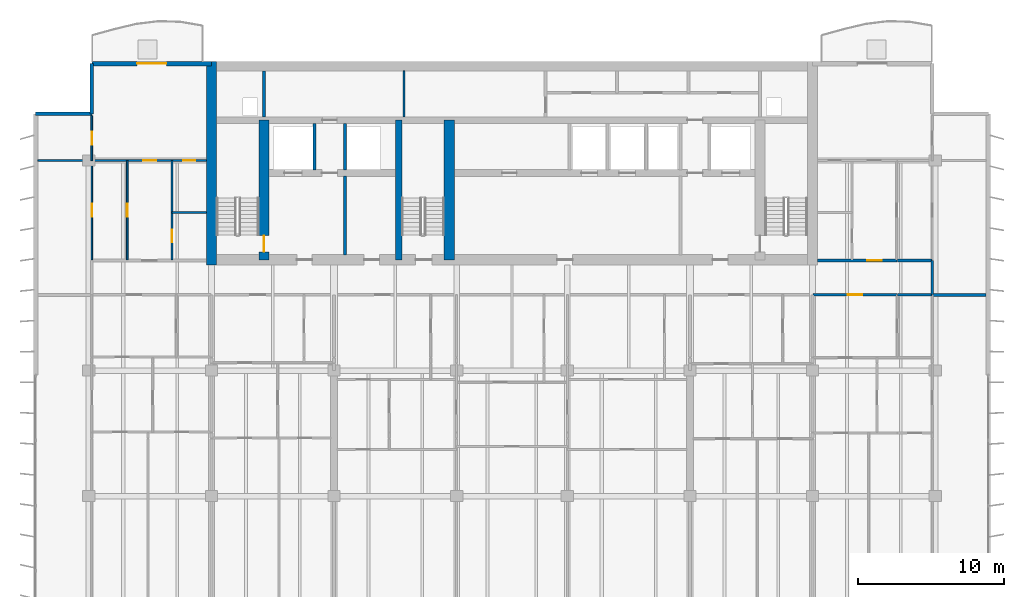
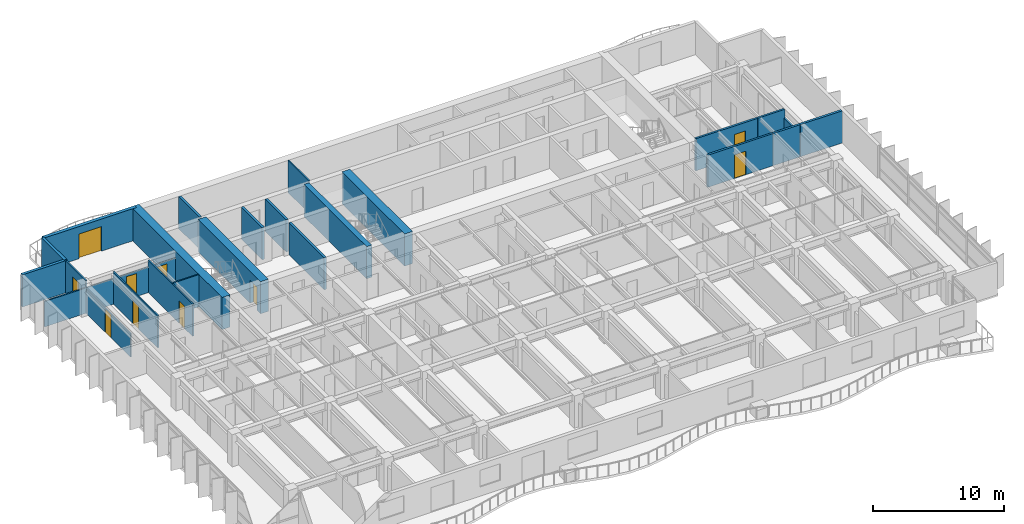
# One storey, part 12 of 18: 24 walls, 10 doors, 10 openings.
"""IFC4 building model written with IfcOpenShell, lengths in metres."""

from ifc_helpers import new_model, si_unit, direction, frame, frame_2d, origin, place, context, subcontext, project, spatial, rectangle, extrude, material, layer, layer_set, type_object, element, fill, save


model = new_model("IFC4")

# Units and contexts
model_context = context("Model", 3, precision=1e-05, world=origin(), true_north=direction((0.0, 1.0)))
body_context = subcontext(model_context, "Body", "Model", "MODEL_VIEW")
ifc_project = project(units=[si_unit("LENGTHUNIT", "METRE"), si_unit("AREAUNIT", "SQUARE_METRE"), si_unit("VOLUMEUNIT", "CUBIC_METRE"), si_unit("PLANEANGLEUNIT", "RADIAN"), si_unit("MASSUNIT", "GRAM", prefix="KILO")], contexts=[model_context])

# Site, building, storey
site_placement = place(None, origin())
site = spatial("IfcSite", under=ifc_project, at=site_placement, CompositionType="ELEMENT")
building_placement = place(site_placement, origin())
building = spatial("IfcBuilding", under=site, at=building_placement, Name="Caelmar Bay Residences", CompositionType="ELEMENT")
storey_placement = place(building_placement, frame((0.0, 0.0, 180.300048828125)))
storey = spatial("IfcBuildingStorey", under=building, at=storey_placement, Name="L50", CompositionType="ELEMENT", Elevation=180.300048828125)

# Wall
ifc_material_1 = material(Name="Concrete f'c 55 MPa (8,000 psi)", Category="concrete")
ifc_layer_1 = layer(ifc_material_1, 0.699951171875)
ifc_layer_set_1 = layer_set([ifc_layer_1], Name="Concrete f'c 55 MPa (8,000 psi)")
wall_type_1 = type_object("IfcWallType", Name="SW-COR-700", PredefinedType="SHEAR", material=ifc_layer_set_1)
wall_1_placement = place(storey_placement, frame((18.300048828125, 36.64990234375, 0.0), z_axis=(0.0, 0.0, 1.0), x_axis=(0.0, 1.0, 0.0)))
element("IfcWall", 1, at=wall_1_placement, inside=storey, type_object=wall_type_1, Name="L50 Rear Core West Shear Wall", PredefinedType="SHEAR", context=body_context, shape_type="SweptSolid", body=[
    extrude(rectangle(XDim=13.9501953125, YDim=0.699951171875, at=frame_2d((6.97509765625, 0.0))), origin(), (0.0, 0.0, 1.0), 3.0),
])

# Wall, opening, door
wall_2_placement = place(storey_placement, frame((21.89990234375, 37.0, 0.0), z_axis=(0.0, 0.0, 1.0), x_axis=(0.0, 1.0, 0.0)))
wall_2 = element("IfcWall", 2, at=wall_2_placement, inside=storey, type_object=wall_type_1, Name="L50 Core Structural Web Wall ST1E", PredefinedType="SHEAR", context=body_context, shape_type="SweptSolid", body=[
    extrude(rectangle(XDim=9.574951171875, YDim=0.699951171875, at=frame_2d((4.78759765625, 0.0))), origin(), (0.0, 0.0, 1.0), 3.0),
])
opening_1_placement = place(wall_2_placement, frame((0.550048828125, 0.0, 0.0)))
opening_1 = element("IfcOpeningElement", 3, at=opening_1_placement, cuts=wall_2, Name="Opening D-L50-107", PredefinedType="OPENING", context=body_context, shape_type="SweptSolid", body=[
    extrude(rectangle(XDim=1.10009765625, YDim=2.14990234375, at=frame_2d((0.550048828125, 1.074951171875))), frame((0.0, 0.35986328125, 0.0), z_axis=(0.0, -1.0, 0.0), x_axis=(1.0, 0.0, 0.0)), (0.0, 0.0, 1.0), 0.719970703125),
])
ifc_material_2 = material(Name="Fire-rated steel and walnut architectural door assembly", Category="steel")
ifc_layer_2 = layer(ifc_material_2, 0.050048828125)
ifc_layer_set_2 = layer_set([ifc_layer_2], Name="Fire-rated steel and walnut architectural door assembly")
door_type_1 = type_object("IfcDoorType", Name="D-STAIR-1100", OperationType="NOTDEFINED", PredefinedType="DOOR", material=ifc_layer_set_2)
door_1_placement = place(opening_1_placement, origin())
door_1 = element("IfcDoor", 4, at=door_1_placement, inside=storey, type_object=door_type_1, Name="L50 Firefighting Lobby West Door", OperationType="SINGLE_SWING_RIGHT", OverallHeight=2.14990234375, OverallWidth=1.10009765625, PredefinedType="DOOR", context=body_context, shape_type="SweptSolid", body=[
    extrude(rectangle(XDim=1.10009765625, YDim=2.14990234375, at=frame_2d((0.550048828125, 1.074951171875))), frame((0.0, 0.02490234375, 0.0), z_axis=(0.0, -1.0, 0.0), x_axis=(1.0, 0.0, 0.0)), (0.0, 0.0, 1.0), 0.050048828125),
])
fill(opening_1, door_1)

# Walls
wall_3_placement = place(storey_placement, frame((34.60009765625, 37.0, 0.0), z_axis=(0.0, 0.0, 1.0), x_axis=(0.0, 1.0, 0.0)))
element("IfcWall", 5, at=wall_3_placement, inside=storey, type_object=wall_type_1, Name="L50 Core Structural Web Wall ST3E", PredefinedType="SHEAR", context=body_context, shape_type="SweptSolid", body=[
    extrude(rectangle(XDim=9.574951171875, YDim=0.699951171875, at=frame_2d((4.78759765625, 0.0))), origin(), (0.0, 0.0, 1.0), 3.0),
])
ifc_material_3 = material(Name="Concrete f'c 70 MPa (10,000 psi)", Category="concrete")
ifc_layer_3 = layer(ifc_material_3, 0.449951171875)
ifc_layer_set_3 = layer_set([ifc_layer_3], Name="Concrete f'c 70 MPa (10,000 psi)")
wall_type_2 = type_object("IfcWallType", Name="SW-WEB-450", PredefinedType="SHEAR", material=ifc_layer_set_3)
wall_4_placement = place(storey_placement, frame((31.125, 37.0, 0.0), z_axis=(0.0, 0.0, 1.0), x_axis=(0.0, 1.0, 0.0)))
element("IfcWall", 6, at=wall_4_placement, inside=storey, type_object=wall_type_2, Name="L50 Core Structural Web Wall ST3W", PredefinedType="SHEAR", context=body_context, shape_type="SweptSolid", body=[
    extrude(rectangle(XDim=9.574951171875, YDim=0.449951171875, at=frame_2d((4.78759765625, 0.0))), origin(), (0.0, 0.0, 1.0), 3.0),
])
ifc_material_4 = material(Name="Double-stud acoustic fire-rated gypsum partition 180 mm")
ifc_layer_4 = layer(ifc_material_4, 0.179931640625)
ifc_layer_set_4 = layer_set([ifc_layer_4], Name="Double-stud acoustic fire-rated gypsum partition 180 mm")
wall_type_3 = type_object("IfcWallType", Name="W-COR-200", PredefinedType="PARTITIONING", material=ifc_layer_set_4)
wall_5_placement = place(storey_placement, frame((67.699951171875, 34.60498046875, 0.0), z_axis=(0.0, 0.0, 1.0), x_axis=(0.0, 1.0, 0.0)))
element("IfcWall", 7, at=wall_5_placement, inside=storey, type_object=wall_type_3, Name="L50 Partition Wall V103", PredefinedType="PARTITIONING", context=body_context, shape_type="SweptSolid", body=[
    extrude(rectangle(XDim=2.344970703125, YDim=0.179931640625, at=frame_2d((1.17236328125, 0.0))), origin(), (0.0, 0.0, 1.0), 2.212890625),
])

# Wall, opening, door
wall_6_placement = place(storey_placement, frame((59.550048828125, 34.60009765625, 0.0), z_axis=(0.0, 0.0, 1.0), x_axis=(1.0, 0.0, 0.0)))
wall_6 = element("IfcWall", 8, at=wall_6_placement, inside=storey, type_object=wall_type_3, Name="L50 Partition Wall H131", PredefinedType="PARTITIONING", context=body_context, shape_type="SweptSolid", body=[
    extrude(rectangle(XDim=5.72998046875, YDim=0.179931640625, at=frame_2d((2.864990234375, 0.0))), origin(), (0.0, 0.0, 1.0), 3.0),
])
opening_2_placement = place(wall_6_placement, frame((2.364990234375, 0.0, 0.0)))
opening_2 = element("IfcOpeningElement", 9, at=opening_2_placement, cuts=wall_6, Name="Opening D-L50-157", PredefinedType="OPENING", context=body_context, shape_type="SweptSolid", body=[
    extrude(rectangle(XDim=1.0, YDim=2.199951171875, at=frame_2d((0.5, 1.10009765625))), frame((0.0, 0.099853515625, 0.0), z_axis=(0.0, -1.0, 0.0), x_axis=(1.0, 0.0, 0.0)), (0.0, 0.0, 1.0), 0.199951171875),
])
ifc_layer_5 = layer(ifc_material_2, 0.050048828125)
ifc_layer_set_5 = layer_set([ifc_layer_5], Name="Fire-rated steel and walnut architectural door assembly")
door_type_2 = type_object("IfcDoorType", Name="D-UNIT-1000", OperationType="NOTDEFINED", PredefinedType="DOOR", material=ifc_layer_set_5)
door_2_placement = place(opening_2_placement, origin())
door_2 = element("IfcDoor", 10, at=door_2_placement, inside=storey, type_object=door_type_2, Name="L50 Residence 05 Apartment Hall Door", OperationType="SINGLE_SWING_RIGHT", OverallHeight=2.199951171875, OverallWidth=1.0, PredefinedType="DOOR", context=body_context, shape_type="SweptSolid", body=[
    extrude(rectangle(XDim=1.0, YDim=2.199951171875, at=frame_2d((0.5, 1.10009765625))), frame((0.0, 0.02490234375, 0.0), z_axis=(0.0, -1.0, 0.0), x_axis=(1.0, 0.0, 0.0)), (0.0, 0.0, 1.0), 0.050048828125),
])
fill(opening_2, door_2)

# Wall
wall_7_placement = place(storey_placement, frame((65.31591796875, 34.60009765625, 0.0), z_axis=(0.0, 0.0, 1.0), x_axis=(1.0, 0.0, 0.0)))
element("IfcWall", 11, at=wall_7_placement, inside=storey, type_object=wall_type_3, Name="L50 Partition Wall H132", PredefinedType="PARTITIONING", context=body_context, shape_type="SweptSolid", body=[
    extrude(rectangle(XDim=2.384033203125, YDim=0.179931640625, at=frame_2d((1.19189453125, 0.0))), origin(), (0.0, 0.0, 1.0), 3.0),
])

# Wall, opening, door
wall_8_placement = place(storey_placement, frame((59.85498046875, 36.949951171875, 0.0), z_axis=(0.0, 0.0, 1.0), x_axis=(1.0, 0.0, 0.0)))
wall_8 = element("IfcWall", 12, at=wall_8_placement, inside=storey, type_object=wall_type_3, Name="L50 Partition Wall H135", PredefinedType="PARTITIONING", context=body_context, shape_type="SweptSolid", body=[
    extrude(rectangle(XDim=5.425048828125, YDim=0.179931640625, at=frame_2d((2.71240234375, 0.0))), origin(), (0.0, 0.0, 1.0), 3.0),
])
opening_3_placement = place(wall_8_placement, frame((3.385009765625, 0.0, 0.0)))
opening_3 = element("IfcOpeningElement", 13, at=opening_3_placement, cuts=wall_8, Name="Opening D-L50-174", PredefinedType="OPENING", context=body_context, shape_type="SweptSolid", body=[
    extrude(rectangle(XDim=1.0, YDim=2.199951171875, at=frame_2d((0.5, 1.10009765625))), frame((0.0, 0.099853515625, 0.0), z_axis=(0.0, -1.0, 0.0), x_axis=(1.0, 0.0, 0.0)), (0.0, 0.0, 1.0), 0.199951171875),
])
door_3_placement = place(opening_3_placement, origin())
door_3 = element("IfcDoor", 14, at=door_3_placement, inside=storey, type_object=door_type_2, Name="L50 Residence EA Kitchen Door", OperationType="SINGLE_SWING_LEFT", OverallHeight=2.199951171875, OverallWidth=1.0, PredefinedType="DOOR", context=body_context, shape_type="SweptSolid", body=[
    extrude(rectangle(XDim=1.0, YDim=2.199951171875, at=frame_2d((0.5, 1.10009765625))), frame((0.0, 0.02490234375, 0.0), z_axis=(0.0, -1.0, 0.0), x_axis=(1.0, 0.0, 0.0)), (0.0, 0.0, 1.0), 0.050048828125),
])
fill(opening_3, door_3)

# Walls
wall_9_placement = place(storey_placement, frame((65.31591796875, 36.949951171875, 0.0), z_axis=(0.0, 0.0, 1.0), x_axis=(1.0, 0.0, 0.0)))
element("IfcWall", 15, at=wall_9_placement, inside=storey, type_object=wall_type_3, Name="L50 Partition Wall H136", PredefinedType="PARTITIONING", context=body_context, shape_type="SweptSolid", body=[
    extrude(rectangle(XDim=2.384033203125, YDim=0.179931640625, at=frame_2d((1.19189453125, 0.0))), origin(), (0.0, 0.0, 1.0), 3.0),
])
ifc_material_5 = material(Name="Precast concrete f'c 40 MPa (6,000 psi)", Category="concrete")
ifc_layer_6 = layer(ifc_material_5, 0.25)
ifc_layer_set_6 = layer_set([ifc_layer_6], Name="Precast concrete f'c 40 MPa (6,000 psi)")
wall_type_4 = type_object("IfcWallType", Name="W-EXT-250", PredefinedType="ELEMENTEDWALL", material=ifc_layer_set_6)
wall_10_placement = place(storey_placement, frame((6.25, 47.0, 0.0), z_axis=(0.0, 0.0, 1.0), x_axis=(1.0, 0.0, 0.0)))
element("IfcWall", 16, at=wall_10_placement, inside=storey, type_object=wall_type_4, Name="L50 NNW-H Notch Wall", PredefinedType="ELEMENTEDWALL", context=body_context, shape_type="SweptSolid", body=[
    extrude(rectangle(XDim=3.85009765625, YDim=0.25, at=frame_2d((1.925048828125, 0.0))), origin(), (0.0, 0.0, 1.0), 3.0),
])
wall_11_placement = place(storey_placement, frame((10.10009765625, 47.0, 0.0), z_axis=(0.0, 0.0, 1.0), x_axis=(0.0, 1.0, 0.0)))
element("IfcWall", 17, at=wall_11_placement, inside=storey, type_object=wall_type_4, Name="L50 NNW-V Notch Wall", PredefinedType="ELEMENTEDWALL", context=body_context, shape_type="SweptSolid", body=[
    extrude(rectangle(XDim=3.449951171875, YDim=0.25, at=frame_2d((1.72509765625, 0.0))), origin(), (0.0, 0.0, 1.0), 3.0),
])

# Wall, opening, door
ifc_layer_7 = layer(ifc_material_5, 0.300048828125)
ifc_layer_set_7 = layer_set([ifc_layer_7], Name="Precast concrete f'c 40 MPa (6,000 psi)")
wall_type_5 = type_object("IfcWallType", Name="W-EXT-300", PredefinedType="STANDARD", material=ifc_layer_set_7)
wall_12_placement = place(storey_placement, frame((10.10009765625, 50.449951171875, 0.0), z_axis=(0.0, 0.0, 1.0), x_axis=(1.0, 0.0, 0.0)))
wall_12 = element("IfcWall", 18, at=wall_12_placement, inside=storey, type_object=wall_type_5, Name="L50 North-West Wing Exterior Wall", PredefinedType="STANDARD", context=body_context, shape_type="SweptSolid", body=[
    extrude(rectangle(XDim=8.199951171875, YDim=0.300048828125, at=frame_2d((4.10009765625, 0.0))), origin(), (0.0, 0.0, 1.0), 3.0),
])
opening_4_placement = place(wall_12_placement, frame((3.10009765625, 0.0, 0.0)))
opening_4 = element("IfcOpeningElement", 19, at=opening_4_placement, cuts=wall_12, Name="Opening L50-BDNW", PredefinedType="OPENING", context=body_context, shape_type="SweptSolid", body=[
    extrude(rectangle(XDim=2.0, YDim=2.300048828125, at=frame_2d((1.0, 1.14990234375))), frame((0.0, 0.159912109375, 0.0), z_axis=(0.0, -1.0, 0.0), x_axis=(1.0, 0.0, 0.0)), (0.0, 0.0, 1.0), 0.320068359375),
])
ifc_material_6 = material(Name="Anodised bronze thermally broken sliding glass door", Category="glass")
ifc_layer_8 = layer(ifc_material_6, 0.050048828125)
ifc_layer_set_8 = layer_set([ifc_layer_8], Name="Anodised bronze thermally broken sliding glass door")
door_type_3 = type_object("IfcDoorType", Name="D-BAL-2000", OperationType="DOUBLE_DOOR_SLIDING", PredefinedType="DOOR", material=ifc_layer_set_8)
door_4_placement = place(opening_4_placement, origin())
door_4 = element("IfcDoor", 20, at=door_4_placement, inside=storey, type_object=door_type_3, Name="L50 North-West Balcony Door", OperationType="DOUBLE_DOOR_SLIDING", OverallHeight=2.300048828125, OverallWidth=2.0, PredefinedType="DOOR", context=body_context, shape_type="SweptSolid", body=[
    extrude(rectangle(XDim=2.0, YDim=2.300048828125, at=frame_2d((1.0, 1.14990234375))), frame((0.0, 0.02490234375, 0.0), z_axis=(0.0, -1.0, 0.0), x_axis=(1.0, 0.0, 0.0)), (0.0, 0.0, 1.0), 0.050048828125),
])
fill(opening_4, door_4)

# Walls
ifc_material_7 = material(Name="Fire-rated masonry and gypsum shaftliner assembly 200 mm", Category="masonry")
ifc_layer_9 = layer(ifc_material_7, 0.199951171875)
ifc_layer_set_9 = layer_set([ifc_layer_9], Name="Fire-rated masonry and gypsum shaftliner assembly 200 mm")
wall_type_6 = type_object("IfcWallType", Name="W-FSAE-200", PredefinedType="PARTITIONING", material=ifc_layer_set_9)
wall_13_placement = place(storey_placement, frame((21.89990234375, 46.794921875, 0.0), z_axis=(0.0, 0.0, 1.0), x_axis=(0.0, 1.0, 0.0)))
element("IfcWall", 21, at=wall_13_placement, inside=storey, type_object=wall_type_6, Name="L50 Partition Wall V023", PredefinedType="PARTITIONING", context=body_context, shape_type="SweptSolid", body=[
    extrude(rectangle(XDim=3.16015625, YDim=0.199951171875, at=frame_2d((1.580078125, 0.0))), origin(), (0.0, 0.0, 1.0), 3.0),
])
wall_14_placement = place(storey_placement, frame((25.35009765625, 43.169921875, 0.0), z_axis=(0.0, 0.0, 1.0), x_axis=(0.0, 1.0, 0.0)))
element("IfcWall", 22, at=wall_14_placement, inside=storey, type_object=wall_type_6, Name="L50 Partition Wall V030", PredefinedType="PARTITIONING", context=body_context, shape_type="SweptSolid", body=[
    extrude(rectangle(XDim=3.18505859375, YDim=0.199951171875, at=frame_2d((1.592529296875, 0.0))), origin(), (0.0, 0.0, 1.0), 3.0),
])
wall_15_placement = place(storey_placement, frame((27.449951171875, 37.344970703125, 0.0), z_axis=(0.0, 0.0, 1.0), x_axis=(0.0, 1.0, 0.0)))
element("IfcWall", 23, at=wall_15_placement, inside=storey, type_object=wall_type_6, Name="L50 Partition Wall V036", PredefinedType="PARTITIONING", context=body_context, shape_type="SweptSolid", body=[
    extrude(rectangle(XDim=5.385009765625, YDim=0.199951171875, at=frame_2d((2.6923828125, 0.0))), origin(), (0.0, 0.0, 1.0), 3.0),
])
wall_16_placement = place(storey_placement, frame((27.449951171875, 43.169921875, 0.0), z_axis=(0.0, 0.0, 1.0), x_axis=(0.0, 1.0, 0.0)))
element("IfcWall", 24, at=wall_16_placement, inside=storey, type_object=wall_type_6, Name="L50 Partition Wall V037", PredefinedType="PARTITIONING", context=body_context, shape_type="SweptSolid", body=[
    extrude(rectangle(XDim=3.18505859375, YDim=0.199951171875, at=frame_2d((1.592529296875, 0.0))), origin(), (0.0, 0.0, 1.0), 3.0),
])

# Wall, opening, door
ifc_material_8 = material(Name="Anodised bronze framed acoustic sliding study partition 100 mm")
ifc_layer_10 = layer(ifc_material_8, 0.10009765625)
ifc_layer_set_10 = layer_set([ifc_layer_10], Name="Anodised bronze framed acoustic sliding study partition 100 mm")
wall_type_7 = type_object("IfcWallType", Name="W-MOV-100", PredefinedType="MOVABLE", material=ifc_layer_set_10)
wall_17_placement = place(storey_placement, frame((10.10009765625, 37.0, 0.0), z_axis=(0.0, 0.0, 1.0), x_axis=(0.0, 1.0, 0.0)))
wall_17 = element("IfcWall", 25, at=wall_17_placement, inside=storey, type_object=wall_type_7, Name="L50 Partition Wall V007", PredefinedType="MOVABLE", context=body_context, shape_type="SweptSolid", body=[
    extrude(rectangle(XDim=6.800048828125, YDim=0.10009765625, at=frame_2d((3.39990234375, 0.0))), origin(), (0.0, 0.0, 1.0), 2.212890625),
])
opening_5_placement = place(wall_17_placement, frame((2.949951171875, 0.0, 0.0)))
opening_5 = element("IfcOpeningElement", 26, at=opening_5_placement, cuts=wall_17, Name="Opening D-L50-171", PredefinedType="OPENING", context=body_context, shape_type="SweptSolid", body=[
    extrude(rectangle(XDim=0.89990234375, YDim=2.14990234375, at=frame_2d((0.449951171875, 1.074951171875))), frame((0.0, 0.06005859375, 0.0), z_axis=(0.0, -1.0, 0.0), x_axis=(1.0, 0.0, 0.0)), (0.0, 0.0, 1.0), 0.1201171875),
])
ifc_material_9 = material(Name="Solid walnut timber interior door leaf and frame", Category="wood")
ifc_layer_11 = layer(ifc_material_9, 0.050048828125)
ifc_layer_set_11 = layer_set([ifc_layer_11], Name="Solid walnut timber interior door leaf and frame")
door_type_4 = type_object("IfcDoorType", Name="D-ROOM-900", OperationType="NOTDEFINED", PredefinedType="DOOR", material=ifc_layer_set_11)
door_5_placement = place(opening_5_placement, origin())
door_5 = element("IfcDoor", 27, at=door_5_placement, inside=storey, type_object=door_type_4, Name="L50 Residence WA Sun Study Door", OperationType="SINGLE_SWING_RIGHT", OverallHeight=2.14990234375, OverallWidth=0.89990234375, PredefinedType="DOOR", context=body_context, shape_type="SweptSolid", body=[
    extrude(rectangle(XDim=0.89990234375, YDim=2.14990234375, at=frame_2d((0.449951171875, 1.074951171875))), frame((0.0, 0.02490234375, 0.0), z_axis=(0.0, -1.0, 0.0), x_axis=(1.0, 0.0, 0.0)), (0.0, 0.0, 1.0), 0.050048828125),
])
fill(opening_5, door_5)

ifc_material_10 = material(Name="Acoustic metal-stud gypsum partition 120 mm")
ifc_layer_12 = layer(ifc_material_10, 0.1201171875)
ifc_layer_set_12 = layer_set([ifc_layer_12], Name="Acoustic metal-stud gypsum partition 120 mm")
wall_type_8 = type_object("IfcWallType", Name="W-PRT-120", PredefinedType="PARTITIONING", material=ifc_layer_set_12)
wall_18_placement = place(storey_placement, frame((10.10009765625, 43.804931640625, 0.0), z_axis=(0.0, 0.0, 1.0), x_axis=(0.0, 1.0, 0.0)))
wall_18 = element("IfcWall", 28, at=wall_18_placement, inside=storey, type_object=wall_type_8, Name="L50 Partition Wall V008", PredefinedType="PARTITIONING", context=body_context, shape_type="SweptSolid", body=[
    extrude(rectangle(XDim=3.074951171875, YDim=0.1201171875, at=frame_2d((1.53759765625, 0.0))), origin(), (0.0, 0.0, 1.0), 3.0),
])
opening_6_placement = place(wall_18_placement, frame((1.08740234375, 0.0, 0.0)))
opening_6 = element("IfcOpeningElement", 29, at=opening_6_placement, cuts=wall_18, Name="Opening D-L50-172", PredefinedType="OPENING", context=body_context, shape_type="SweptSolid", body=[
    extrude(rectangle(XDim=0.89990234375, YDim=2.14990234375, at=frame_2d((0.449951171875, 1.074951171875))), frame((0.0, 0.070068359375, 0.0), z_axis=(0.0, -1.0, 0.0), x_axis=(1.0, 0.0, 0.0)), (0.0, 0.0, 1.0), 0.14013671875),
])
door_6_placement = place(opening_6_placement, origin())
door_6 = element("IfcDoor", 30, at=door_6_placement, inside=storey, type_object=door_type_4, Name="L50 Residence WA North Sitting Alcove Door", OperationType="SINGLE_SWING_LEFT", OverallHeight=2.14990234375, OverallWidth=0.89990234375, PredefinedType="DOOR", context=body_context, shape_type="SweptSolid", body=[
    extrude(rectangle(XDim=0.89990234375, YDim=2.14990234375, at=frame_2d((0.449951171875, 1.074951171875))), frame((0.0, 0.02490234375, 0.0), z_axis=(0.0, -1.0, 0.0), x_axis=(1.0, 0.0, 0.0)), (0.0, 0.0, 1.0), 0.050048828125),
])
fill(opening_6, door_6)

wall_19_placement = place(storey_placement, frame((12.52001953125, 37.0, 0.0), z_axis=(0.0, 0.0, 1.0), x_axis=(0.0, 1.0, 0.0)))
wall_19 = element("IfcWall", 31, at=wall_19_placement, inside=storey, type_object=wall_type_8, Name="L50 Partition Wall V009", PredefinedType="PARTITIONING", context=body_context, shape_type="SweptSolid", body=[
    extrude(rectangle(XDim=6.800048828125, YDim=0.1201171875, at=frame_2d((3.39990234375, 0.0))), origin(), (0.0, 0.0, 1.0), 3.0),
])
opening_7_placement = place(wall_19_placement, frame((2.949951171875, 0.0, 0.0)))
opening_7 = element("IfcOpeningElement", 32, at=opening_7_placement, cuts=wall_19, Name="Opening D-L50-166", PredefinedType="OPENING", context=body_context, shape_type="SweptSolid", body=[
    extrude(rectangle(XDim=0.89990234375, YDim=2.14990234375, at=frame_2d((0.449951171875, 1.074951171875))), frame((0.0, 0.070068359375, 0.0), z_axis=(0.0, -1.0, 0.0), x_axis=(1.0, 0.0, 0.0)), (0.0, 0.0, 1.0), 0.14013671875),
])
door_7_placement = place(opening_7_placement, origin())
door_7 = element("IfcDoor", 33, at=door_7_placement, inside=storey, type_object=door_type_4, Name="L50 Residence WA Dining Room Door", OperationType="SINGLE_SWING_LEFT", OverallHeight=2.14990234375, OverallWidth=0.89990234375, PredefinedType="DOOR", context=body_context, shape_type="SweptSolid", body=[
    extrude(rectangle(XDim=0.89990234375, YDim=2.14990234375, at=frame_2d((0.449951171875, 1.074951171875))), frame((0.0, 0.02490234375, 0.0), z_axis=(0.0, -1.0, 0.0), x_axis=(1.0, 0.0, 0.0)), (0.0, 0.0, 1.0), 0.050048828125),
])
fill(opening_7, door_7)

wall_20_placement = place(storey_placement, frame((15.60009765625, 37.0, 0.0), z_axis=(0.0, 0.0, 1.0), x_axis=(0.0, 1.0, 0.0)))
wall_20 = element("IfcWall", 34, at=wall_20_placement, inside=storey, type_object=wall_type_8, Name="L50 Partition Wall V015", PredefinedType="PARTITIONING", context=body_context, shape_type="SweptSolid", body=[
    extrude(rectangle(XDim=6.800048828125, YDim=0.1201171875, at=frame_2d((3.39990234375, 0.0))), origin(), (0.0, 0.0, 1.0), 3.0),
])
opening_8_placement = place(wall_20_placement, frame((1.194091796875, 0.0, 0.0)))
opening_8 = element("IfcOpeningElement", 35, at=opening_8_placement, cuts=wall_20, Name="Opening D-L50-169", PredefinedType="OPENING", context=body_context, shape_type="SweptSolid", body=[
    extrude(rectangle(XDim=0.85009765625, YDim=2.10009765625, at=frame_2d((0.425048828125, 1.050048828125))), frame((0.0, 0.070068359375, 0.0), z_axis=(0.0, -1.0, 0.0), x_axis=(1.0, 0.0, 0.0)), (0.0, 0.0, 1.0), 0.14013671875),
])
ifc_layer_13 = layer(ifc_material_9, 0.050048828125)
ifc_layer_set_13 = layer_set([ifc_layer_13], Name="Solid walnut timber interior door leaf and frame")
door_type_5 = type_object("IfcDoorType", Name="D-BATH-850", OperationType="NOTDEFINED", PredefinedType="DOOR", material=ifc_layer_set_13)
door_8_placement = place(opening_8_placement, origin())
door_8 = element("IfcDoor", 36, at=door_8_placement, inside=storey, type_object=door_type_5, Name="L50 Residence WA Walk-In Closet Door", OperationType="SINGLE_SWING_RIGHT", OverallHeight=2.10009765625, OverallWidth=0.85009765625, PredefinedType="DOOR", context=body_context, shape_type="SweptSolid", body=[
    extrude(rectangle(XDim=0.85009765625, YDim=2.10009765625, at=frame_2d((0.425048828125, 1.050048828125))), frame((0.0, 0.02490234375, 0.0), z_axis=(0.0, -1.0, 0.0), x_axis=(1.0, 0.0, 0.0)), (0.0, 0.0, 1.0), 0.050048828125),
])
fill(opening_8, door_8)

# Walls
wall_21_placement = place(storey_placement, frame((31.5, 46.794921875, 0.0), z_axis=(0.0, 0.0, 1.0), x_axis=(0.0, 1.0, 0.0)))
element("IfcWall", 37, at=wall_21_placement, inside=storey, type_object=wall_type_8, Name="L50 Partition Wall V041", PredefinedType="PARTITIONING", context=body_context, shape_type="SweptSolid", body=[
    extrude(rectangle(XDim=3.16015625, YDim=0.1201171875, at=frame_2d((1.580078125, 0.0))), origin(), (0.0, 0.0, 1.0), 3.0),
])
wall_22_placement = place(storey_placement, frame((15.60009765625, 40.238037109375, 0.0), z_axis=(0.0, 0.0, 1.0), x_axis=(1.0, 0.0, 0.0)))
element("IfcWall", 38, at=wall_22_placement, inside=storey, type_object=wall_type_8, Name="L50 Partition Wall H137", PredefinedType="PARTITIONING", context=body_context, shape_type="SweptSolid", body=[
    extrude(rectangle(XDim=2.35498046875, YDim=0.1201171875, at=frame_2d((1.177490234375, 0.0))), origin(), (0.0, 0.0, 1.0), 3.0),
])

# Wall, openings, doors
wall_23_placement = place(storey_placement, frame((6.39501953125, 43.800048828125, 0.0), z_axis=(0.0, 0.0, 1.0), x_axis=(1.0, 0.0, 0.0)))
wall_23 = element("IfcWall", 39, at=wall_23_placement, inside=storey, type_object=wall_type_8, Name="L50 Partition Wall H139", PredefinedType="PARTITIONING", context=body_context, shape_type="SweptSolid", body=[
    extrude(rectangle(XDim=11.56005859375, YDim=0.1201171875, at=frame_2d((5.780029296875, 0.0))), origin(), (0.0, 0.0, 1.0), 2.367919921875),
])
opening_9_placement = place(wall_23_placement, frame((7.215087890625, 0.0, 0.0)))
opening_9 = element("IfcOpeningElement", 40, at=opening_9_placement, cuts=wall_23, Name="Opening D-L50-168", PredefinedType="OPENING", context=body_context, shape_type="SweptSolid", body=[
    extrude(rectangle(XDim=0.89990234375, YDim=2.14990234375, at=frame_2d((0.449951171875, 1.074951171875))), frame((0.0, 0.070068359375, 0.0), z_axis=(0.0, -1.0, 0.0), x_axis=(1.0, 0.0, 0.0)), (0.0, 0.0, 1.0), 0.14013671875),
])
opening_10_placement = place(wall_23_placement, frame((9.95751953125, 0.0, 0.0)))
opening_10 = element("IfcOpeningElement", 41, at=opening_10_placement, cuts=wall_23, Name="Opening D-L50-170", PredefinedType="OPENING", context=body_context, shape_type="SweptSolid", body=[
    extrude(rectangle(XDim=0.85009765625, YDim=2.10009765625, at=frame_2d((0.425048828125, 1.050048828125))), frame((0.0, 0.070068359375, 0.0), z_axis=(0.0, -1.0, 0.0), x_axis=(1.0, 0.0, 0.0)), (0.0, 0.0, 1.0), 0.14013671875),
])
door_9_placement = place(opening_10_placement, origin())
door_9 = element("IfcDoor", 42, at=door_9_placement, inside=storey, type_object=door_type_5, Name="L50 Residence WA Bathroom Door", OperationType="SINGLE_SWING_LEFT", OverallHeight=2.10009765625, OverallWidth=0.85009765625, PredefinedType="DOOR", context=body_context, shape_type="SweptSolid", body=[
    extrude(rectangle(XDim=0.85009765625, YDim=2.10009765625, at=frame_2d((0.425048828125, 1.050048828125))), frame((0.0, 0.02490234375, 0.0), z_axis=(0.0, -1.0, 0.0), x_axis=(1.0, 0.0, 0.0)), (0.0, 0.0, 1.0), 0.050048828125),
])
fill(opening_10, door_9)
door_10_placement = place(opening_9_placement, origin())
door_10 = element("IfcDoor", 43, at=door_10_placement, inside=storey, type_object=door_type_4, Name="L50 Residence WA Studio Living and Sleeping Room Door", OperationType="SINGLE_SWING_LEFT", OverallHeight=2.14990234375, OverallWidth=0.89990234375, PredefinedType="DOOR", context=body_context, shape_type="SweptSolid", body=[
    extrude(rectangle(XDim=0.89990234375, YDim=2.14990234375, at=frame_2d((0.449951171875, 1.074951171875))), frame((0.0, 0.02490234375, 0.0), z_axis=(0.0, -1.0, 0.0), x_axis=(1.0, 0.0, 0.0)), (0.0, 0.0, 1.0), 0.050048828125),
])
fill(opening_9, door_10)

# Wall
ifc_material_11 = material(Name="Acoustic twin-stud fire-rated inter-tenancy partition 200 mm")
ifc_layer_14 = layer(ifc_material_11, 0.199951171875)
ifc_layer_set_14 = layer_set([ifc_layer_14], Name="Acoustic twin-stud fire-rated inter-tenancy partition 200 mm")
wall_type_9 = type_object("IfcWallType", Name="W-PTY-200", PredefinedType="PARTITIONING", material=ifc_layer_set_14)
wall_24_placement = place(storey_placement, frame((67.705078125, 34.60009765625, 0.0), z_axis=(0.0, 0.0, 1.0), x_axis=(1.0, 0.0, 0.0)))
element("IfcWall", 44, at=wall_24_placement, inside=storey, type_object=wall_type_9, Name="L50 Partition Wall H133", PredefinedType="PARTITIONING", context=body_context, shape_type="SweptSolid", body=[
    extrude(rectangle(XDim=3.699951171875, YDim=0.199951171875, at=frame_2d((1.85009765625, 0.0))), origin(), (0.0, 0.0, 1.0), 3.0),
])

save(model, "model.ifc")
